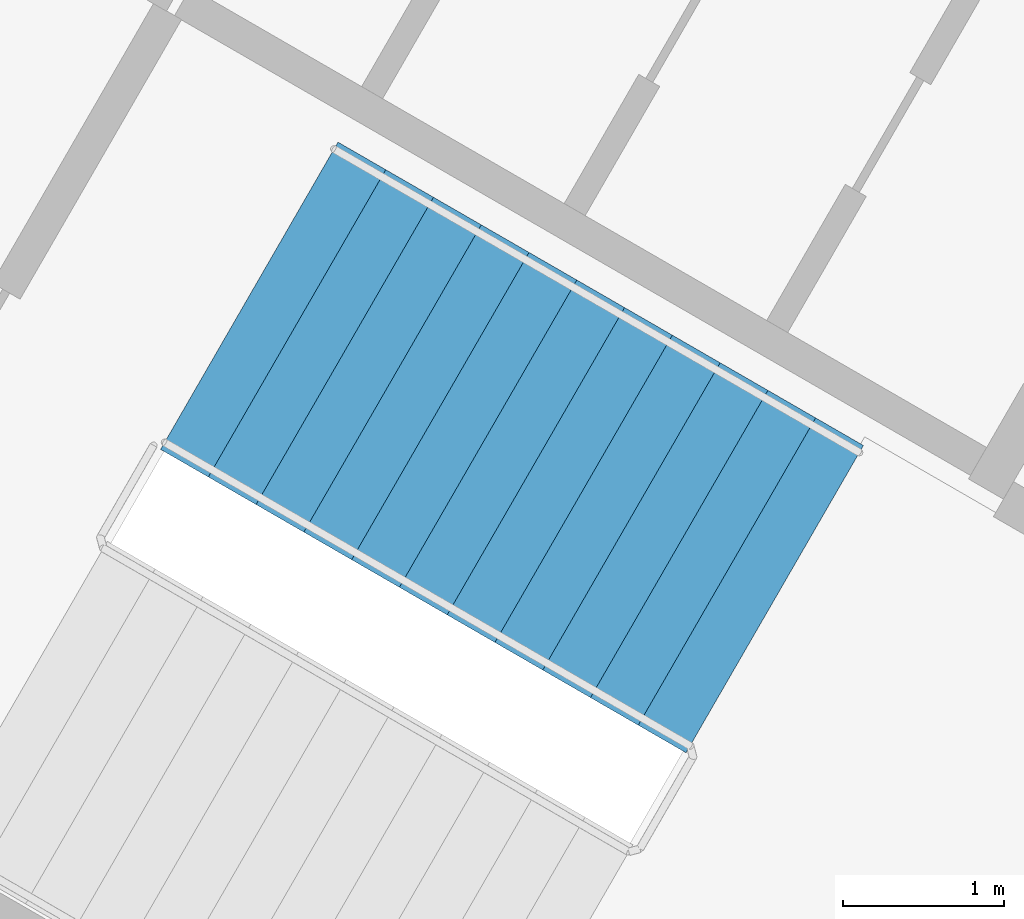
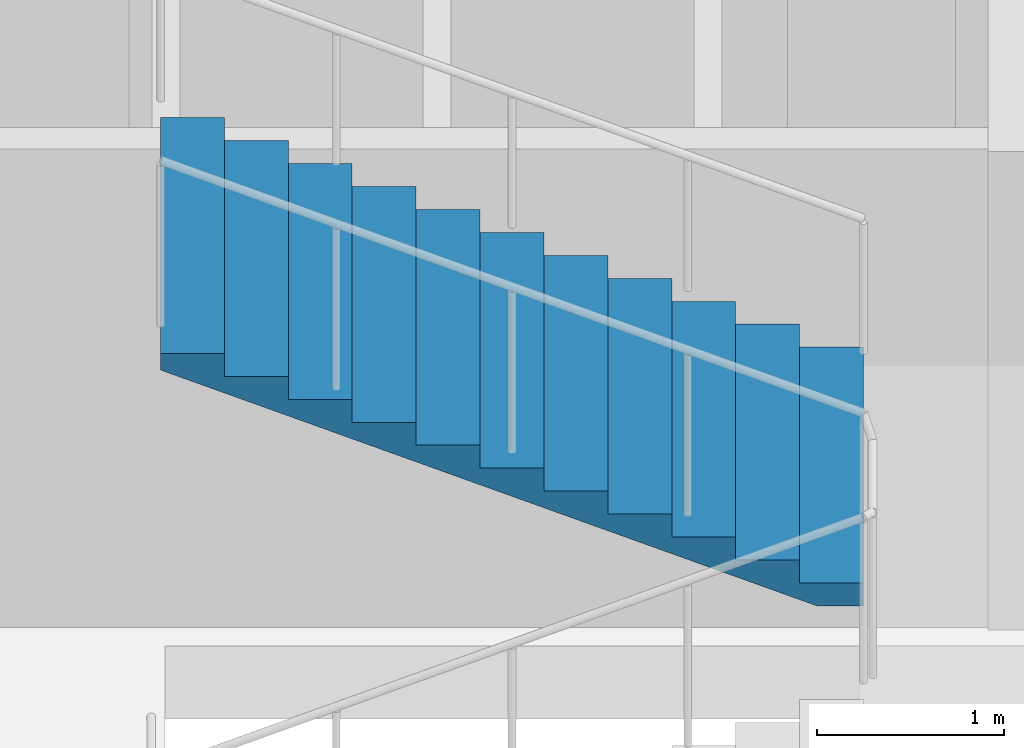
# One storey, part 12 of 15: 1 stair flight, 1 element without a shape of its own.
"""IFC4 building model written with IfcOpenShell, lengths in metres."""

from ifc_helpers import new_model, si_unit, direction, frame, origin, place, context, subcontext, project, spatial, polyline, outline, extrude, material, type_object, element, aggregate, save


model = new_model("IFC4")

# Units and contexts
model_context = context("Model", 3, precision=1e-05, world=origin(), true_north=direction((0.0, 1.0)))
body_context = subcontext(model_context, "Body", "Model", "MODEL_VIEW")
ifc_project = project(units=[si_unit("LENGTHUNIT", "METRE"), si_unit("AREAUNIT", "SQUARE_METRE"), si_unit("VOLUMEUNIT", "CUBIC_METRE"), si_unit("PLANEANGLEUNIT", "RADIAN"), si_unit("MASSUNIT", "GRAM", prefix="KILO")], contexts=[model_context])

# Site, building, storey
site_placement = place(None, origin())
site = spatial("IfcSite", under=ifc_project, at=site_placement, CompositionType="ELEMENT")
building_placement = place(site_placement, origin())
building = spatial("IfcBuilding", under=site, at=building_placement, Name="Tamra Quay Hotel Tower", CompositionType="ELEMENT")
storey_placement = place(building_placement, frame((0.0, 0.0, 42.199951171875)))
storey = spatial("IfcBuildingStorey", under=building, at=storey_placement, Name="L08", CompositionType="ELEMENT", Elevation=42.199951171875)

# Stair, stair flight
ifc_material_1 = material(Name="Exit stair 2200 24 risers 150.0 going 342")
stair_type = type_object("IfcStairType", Name="Exit stair 2200 24 risers 150.0 going 342", PredefinedType="HALF_TURN_STAIR", material=ifc_material_1)
stair_placement = place(storey_placement, origin())
stair = element("IfcStair", 1, at=stair_placement, inside=storey, type_object=stair_type, Name="L08 Exit stair ST1", PredefinedType="HALF_TURN_STAIR")
ifc_material_2 = material(Name="Exit stair flight 2200 12 risers 150.0")
stair_flight_type = type_object("IfcStairFlightType", Name="Exit stair flight 2200 12 risers 150.0", PredefinedType="STRAIGHT", material=ifc_material_2)
stair_flight_placement = place(storey_placement, frame((9.44677734375, 11.798583984375, 1.800048828125), z_axis=(0.0, 0.0, 1.0), x_axis=(-0.866025403784, 0.5, 0.0)))
stair_flight = element("IfcStairFlight", 2, at=stair_flight_placement, type_object=stair_flight_type, Name="ST1 flight 2", NumberOfRisers=12, NumberOfTreads=11, PredefinedType="STRAIGHT", RiserHeight=0.15, TreadLength=0.342, context=body_context, shape_type="SweptSolid", body=[
    extrude(outline(polyline([(0.0, 0.0), (0.0, 0.14990234375), (0.342041015625, 0.14990234375), (0.342041015625, 0.300048828125), (0.68408203125, 0.300048828125), (0.68408203125, 0.449951171875), (1.02587890625, 0.449951171875), (1.02587890625, 0.60009765625), (1.367919921875, 0.60009765625), (1.367919921875, 0.75), (1.7099609375, 0.75), (1.7099609375, 0.89990234375), (2.052001953125, 0.89990234375), (2.052001953125, 1.050048828125), (2.39404296875, 1.050048828125), (2.39404296875, 1.199951171875), (2.736083984375, 1.199951171875), (2.736083984375, 1.35009765625), (3.077880859375, 1.35009765625), (3.077880859375, 1.5), (3.419921875, 1.5), (3.419921875, 1.64990234375), (3.761962890625, 1.64990234375), (3.761962890625, 1.800048828125), (3.761962890625, 1.540771484375), (0.249267578125, 0.0), (0.0, 0.0)])), frame((0.0, 1.10009765625, 0.0), z_axis=(0.0, -1.0, 0.0), x_axis=(1.0, 0.0, 0.0)), (0.0, 0.0, 1.0), 2.199951171875),
])
aggregate(stair, [stair_flight])

save(model, "model.ifc")
